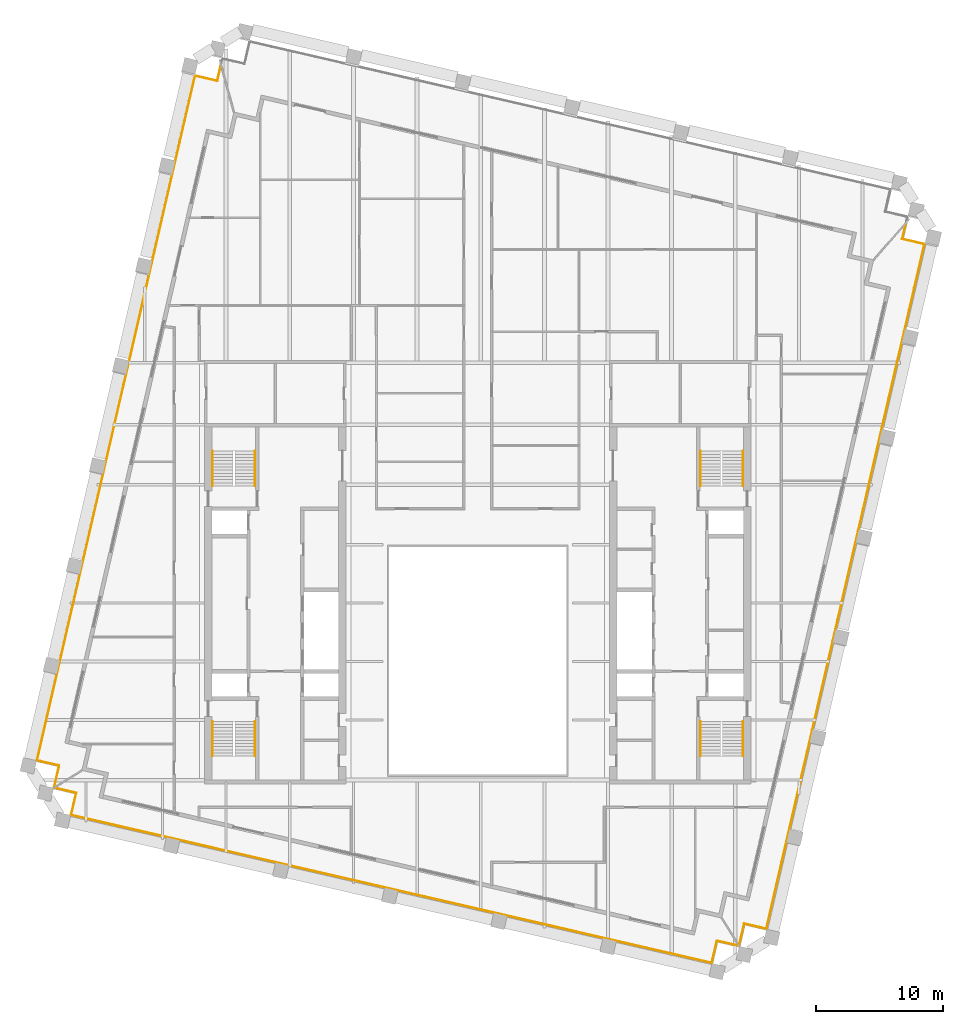
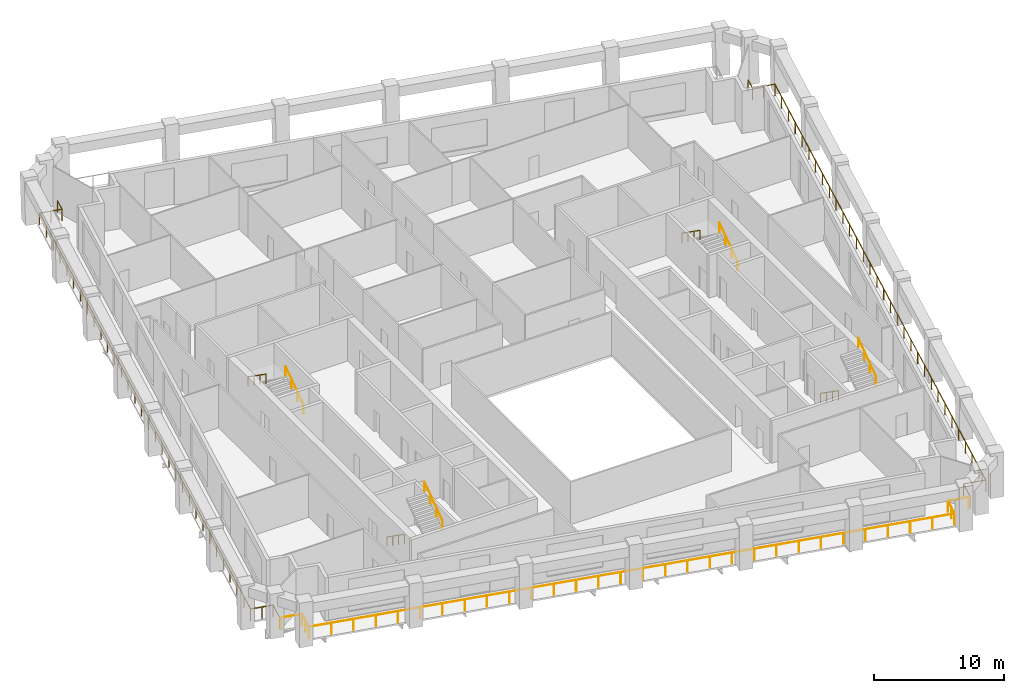
# One storey, part 10 of 11: 11 railings.
"""IFC4 building model written with IfcOpenShell, lengths in metres."""

from ifc_helpers import new_model, si_unit, direction, frame, origin, origin_2d, place, context, subcontext, project, spatial, circle, extrude, material, type_object, element, save


model = new_model("IFC4")

# Units and contexts
model_context = context("Model", 3, precision=1e-05, world=origin(), true_north=direction((0.0, 1.0)))
body_context = subcontext(model_context, "Body", "Model", "MODEL_VIEW")
ifc_project = project(units=[si_unit("LENGTHUNIT", "METRE"), si_unit("AREAUNIT", "SQUARE_METRE"), si_unit("VOLUMEUNIT", "CUBIC_METRE"), si_unit("PLANEANGLEUNIT", "RADIAN"), si_unit("MASSUNIT", "GRAM", prefix="KILO")], contexts=[model_context])

# Site, building, storey
site_placement = place(None, origin())
site = spatial("IfcSite", under=ifc_project, at=site_placement, CompositionType="ELEMENT")
building_placement = place(site_placement, origin())
building = spatial("IfcBuilding", under=site, at=building_placement, Name="Ogive Exchange Tower", CompositionType="ELEMENT")
storey_placement = place(building_placement, frame((0.0, 0.0, 259.800048828125)))
storey = spatial("IfcBuildingStorey", under=building, at=storey_placement, Name="L56", CompositionType="ELEMENT", Elevation=259.800048828125)

# Railings
ifc_material_1 = material(Name="Stainless steel 316", Category="steel")
railing_type_1 = type_object("IfcRailingType", Name="Guard 1100 stainless steel and glass", PredefinedType="GUARDRAIL", material=ifc_material_1)
railing_1_placement = place(storey_placement, frame((20.560546875, -15.527099609375, -0.050048828125)))
element("IfcRailing", 1, at=railing_1_placement, inside=storey, type_object=railing_type_1, Name="Loggia guard 1", PredefinedType="GUARDRAIL", context=body_context, shape_type="SweptSolid", body=[
    extrude(circle(Radius=0.02392578125, at=origin_2d()), frame((0.0, 0.0, 1.076171875), z_axis=(-0.974396013545, 0.224838628327, 0.0), x_axis=(-0.224838628327, -0.974396013545, 0.0)), (0.0, 0.0, 1.0), 1.7080078125),
    extrude(circle(Radius=0.02392578125, at=origin_2d()), frame((-1.664306640625, 0.384033203125, 1.076171875), z_axis=(-0.224879318197, -0.974386623598, 0.0), x_axis=(0.974386623598, -0.224879318197, 0.0)), (0.0, 0.0, 1.0), 1.800048828125),
    extrude(circle(Radius=0.02392578125, at=origin_2d()), frame((-2.069091796875, -1.369873046875, 1.076171875), z_axis=(-0.974370126852, 0.224950785504, 0.0), x_axis=(-0.224950785504, -0.974370126852, 0.0)), (0.0, 0.0, 1.0), 51.960205078125),
    extrude(circle(Radius=0.02392578125, at=origin_2d()), frame((-52.697509765625, 10.318603515625, 1.076171875), z_axis=(0.225008086135, 0.974356896201, 0.0), x_axis=(-0.974356896201, 0.225008086135, 0.0)), (0.0, 0.0, 1.0), 1.800048828125),
    extrude(circle(Radius=0.02392578125, at=origin_2d()), frame((-52.29248046875, 12.072509765625, 1.076171875), z_axis=(-0.974364690374, 0.224974332206, 0.0), x_axis=(-0.224974332206, -0.974364690374, 0.0)), (0.0, 0.0, 1.0), 1.7080078125),
    extrude(circle(Radius=0.02099609375, at=origin_2d()), origin(), (0.0, 0.0, 1.0), 1.052001953125),
    extrude(circle(Radius=0.02099609375, at=origin_2d()), frame((-1.664306640625, 0.384033203125, 0.0)), (0.0, 0.0, 1.0), 1.052001953125),
    extrude(circle(Radius=0.02099609375, at=origin_2d()), frame((-1.86669921875, -0.492919921875, 0.0)), (0.0, 0.0, 1.0), 1.052001953125),
    extrude(circle(Radius=0.02099609375, at=origin_2d()), frame((-2.069091796875, -1.369873046875, 0.0)), (0.0, 0.0, 1.0), 1.052001953125),
    extrude(circle(Radius=0.02099609375, at=origin_2d()), frame((-3.81494140625, -0.966796875, 0.0)), (0.0, 0.0, 1.0), 1.052001953125),
    extrude(circle(Radius=0.02099609375, at=origin_2d()), frame((-5.560791015625, -0.563720703125, 0.0)), (0.0, 0.0, 1.0), 1.052001953125),
    extrude(circle(Radius=0.02099609375, at=origin_2d()), frame((-7.306396484375, -0.16064453125, 0.0)), (0.0, 0.0, 1.0), 1.052001953125),
    extrude(circle(Radius=0.02099609375, at=origin_2d()), frame((-9.05224609375, 0.242431640625, 0.0)), (0.0, 0.0, 1.0), 1.052001953125),
    extrude(circle(Radius=0.02099609375, at=origin_2d()), frame((-10.798095703125, 0.645263671875, 0.0)), (0.0, 0.0, 1.0), 1.052001953125),
    extrude(circle(Radius=0.02099609375, at=origin_2d()), frame((-12.5439453125, 1.04833984375, 0.0)), (0.0, 0.0, 1.0), 1.052001953125),
    extrude(circle(Radius=0.02099609375, at=origin_2d()), frame((-14.289794921875, 1.451416015625, 0.0)), (0.0, 0.0, 1.0), 1.052001953125),
    extrude(circle(Radius=0.02099609375, at=origin_2d()), frame((-16.03564453125, 1.8544921875, 0.0)), (0.0, 0.0, 1.0), 1.052001953125),
    extrude(circle(Radius=0.02099609375, at=origin_2d()), frame((-17.78125, 2.257568359375, 0.0)), (0.0, 0.0, 1.0), 1.052001953125),
    extrude(circle(Radius=0.02099609375, at=origin_2d()), frame((-19.527099609375, 2.66064453125, 0.0)), (0.0, 0.0, 1.0), 1.052001953125),
    extrude(circle(Radius=0.02099609375, at=origin_2d()), frame((-21.27294921875, 3.063720703125, 0.0)), (0.0, 0.0, 1.0), 1.052001953125),
    extrude(circle(Radius=0.02099609375, at=origin_2d()), frame((-23.018798828125, 3.466796875, 0.0)), (0.0, 0.0, 1.0), 1.052001953125),
    extrude(circle(Radius=0.02099609375, at=origin_2d()), frame((-24.7646484375, 3.869873046875, 0.0)), (0.0, 0.0, 1.0), 1.052001953125),
    extrude(circle(Radius=0.02099609375, at=origin_2d()), frame((-26.510498046875, 4.27294921875, 0.0)), (0.0, 0.0, 1.0), 1.052001953125),
    extrude(circle(Radius=0.02099609375, at=origin_2d()), frame((-28.256103515625, 4.67578125, 0.0)), (0.0, 0.0, 1.0), 1.052001953125),
    extrude(circle(Radius=0.02099609375, at=origin_2d()), frame((-30.001953125, 5.078857421875, 0.0)), (0.0, 0.0, 1.0), 1.052001953125),
    extrude(circle(Radius=0.02099609375, at=origin_2d()), frame((-31.747802734375, 5.48193359375, 0.0)), (0.0, 0.0, 1.0), 1.052001953125),
    extrude(circle(Radius=0.02099609375, at=origin_2d()), frame((-33.49365234375, 5.885009765625, 0.0)), (0.0, 0.0, 1.0), 1.052001953125),
    extrude(circle(Radius=0.02099609375, at=origin_2d()), frame((-35.239501953125, 6.2880859375, 0.0)), (0.0, 0.0, 1.0), 1.052001953125),
    extrude(circle(Radius=0.02099609375, at=origin_2d()), frame((-36.9853515625, 6.691162109375, 0.0)), (0.0, 0.0, 1.0), 1.052001953125),
    extrude(circle(Radius=0.02099609375, at=origin_2d()), frame((-38.73095703125, 7.09423828125, 0.0)), (0.0, 0.0, 1.0), 1.052001953125),
    extrude(circle(Radius=0.02099609375, at=origin_2d()), frame((-40.476806640625, 7.497314453125, 0.0)), (0.0, 0.0, 1.0), 1.052001953125),
    extrude(circle(Radius=0.02099609375, at=origin_2d()), frame((-42.22265625, 7.900390625, 0.0)), (0.0, 0.0, 1.0), 1.052001953125),
    extrude(circle(Radius=0.02099609375, at=origin_2d()), frame((-43.968505859375, 8.303466796875, 0.0)), (0.0, 0.0, 1.0), 1.052001953125),
    extrude(circle(Radius=0.02099609375, at=origin_2d()), frame((-45.71435546875, 8.706298828125, 0.0)), (0.0, 0.0, 1.0), 1.052001953125),
    extrude(circle(Radius=0.02099609375, at=origin_2d()), frame((-47.460205078125, 9.109375, 0.0)), (0.0, 0.0, 1.0), 1.052001953125),
    extrude(circle(Radius=0.02099609375, at=origin_2d()), frame((-49.205810546875, 9.512451171875, 0.0)), (0.0, 0.0, 1.0), 1.052001953125),
    extrude(circle(Radius=0.02099609375, at=origin_2d()), frame((-50.95166015625, 9.91552734375, 0.0)), (0.0, 0.0, 1.0), 1.052001953125),
    extrude(circle(Radius=0.02099609375, at=origin_2d()), frame((-52.697509765625, 10.318603515625, 0.0)), (0.0, 0.0, 1.0), 1.052001953125),
    extrude(circle(Radius=0.02099609375, at=origin_2d()), frame((-52.4951171875, 11.195556640625, 0.0)), (0.0, 0.0, 1.0), 1.052001953125),
    extrude(circle(Radius=0.02099609375, at=origin_2d()), frame((-52.29248046875, 12.072509765625, 0.0)), (0.0, 0.0, 1.0), 1.052001953125),
    extrude(circle(Radius=0.02099609375, at=origin_2d()), frame((-53.956787109375, 12.456787109375, 0.0)), (0.0, 0.0, 1.0), 1.052001953125),
])
railing_2_placement = place(storey_placement, frame((-33.465087890625, -2.960205078125, -0.050048828125)))
element("IfcRailing", 2, at=railing_2_placement, inside=storey, type_object=railing_type_1, Name="Loggia guard 2", PredefinedType="GUARDRAIL", context=body_context, shape_type="SweptSolid", body=[
    extrude(circle(Radius=0.02392578125, at=origin_2d()), frame((0.0, 0.0, 1.076171875), z_axis=(0.224974332206, 0.974364690374, 0.0), x_axis=(-0.974364690374, 0.224974332206, 0.0)), (0.0, 0.0, 1.0), 1.7080078125),
    extrude(circle(Radius=0.02392578125, at=origin_2d()), frame((0.38427734375, 1.664306640625, 1.076171875), z_axis=(-0.974356896201, 0.225008086135, 0.0), x_axis=(-0.225008086135, -0.974356896201, 0.0)), (0.0, 0.0, 1.0), 1.800048828125),
    extrude(circle(Radius=0.02392578125, at=origin_2d()), frame((-1.36962890625, 2.0693359375, 1.076171875), z_axis=(0.224947803161, 0.974370815374, 0.0), x_axis=(-0.974370815374, 0.224947803161, 0.0)), (0.0, 0.0, 1.0), 55.53271484375),
    extrude(circle(Radius=0.02392578125, at=origin_2d()), frame((11.122314453125, 56.1787109375, 1.076171875), z_axis=(0.974386623598, -0.224879318197, 0.0), x_axis=(0.224879318197, 0.974386623598, 0.0)), (0.0, 0.0, 1.0), 1.800048828125),
    extrude(circle(Radius=0.02392578125, at=origin_2d()), frame((12.876220703125, 55.77392578125, 1.076171875), z_axis=(0.22511853592, 0.974331383455, 0.0), x_axis=(-0.974331383455, 0.22511853592, 0.0)), (0.0, 0.0, 1.0), 1.170166015625),
    extrude(circle(Radius=0.02099609375, at=origin_2d()), origin(), (0.0, 0.0, 1.0), 1.052001953125),
    extrude(circle(Radius=0.02099609375, at=origin_2d()), frame((0.38427734375, 1.664306640625, 0.0)), (0.0, 0.0, 1.0), 1.052001953125),
    extrude(circle(Radius=0.02099609375, at=origin_2d()), frame((-0.49267578125, 1.86669921875, 0.0)), (0.0, 0.0, 1.0), 1.052001953125),
    extrude(circle(Radius=0.02099609375, at=origin_2d()), frame((-1.36962890625, 2.0693359375, 0.0)), (0.0, 0.0, 1.0), 1.052001953125),
    extrude(circle(Radius=0.02099609375, at=origin_2d()), frame((-0.966552734375, 3.814697265625, 0.0)), (0.0, 0.0, 1.0), 1.052001953125),
    extrude(circle(Radius=0.02099609375, at=origin_2d()), frame((-0.563720703125, 5.560302734375, 0.0)), (0.0, 0.0, 1.0), 1.052001953125),
    extrude(circle(Radius=0.02099609375, at=origin_2d()), frame((-0.16064453125, 7.3056640625, 0.0)), (0.0, 0.0, 1.0), 1.052001953125),
    extrude(circle(Radius=0.02099609375, at=origin_2d()), frame((0.2421875, 9.05126953125, 0.0)), (0.0, 0.0, 1.0), 1.052001953125),
    extrude(circle(Radius=0.02099609375, at=origin_2d()), frame((0.645263671875, 10.796630859375, 0.0)), (0.0, 0.0, 1.0), 1.052001953125),
    extrude(circle(Radius=0.02099609375, at=origin_2d()), frame((1.048095703125, 12.542236328125, 0.0)), (0.0, 0.0, 1.0), 1.052001953125),
    extrude(circle(Radius=0.02099609375, at=origin_2d()), frame((1.451171875, 14.28759765625, 0.0)), (0.0, 0.0, 1.0), 1.052001953125),
    extrude(circle(Radius=0.02099609375, at=origin_2d()), frame((1.85400390625, 16.032958984375, 0.0)), (0.0, 0.0, 1.0), 1.052001953125),
    extrude(circle(Radius=0.02099609375, at=origin_2d()), frame((2.257080078125, 17.778564453125, 0.0)), (0.0, 0.0, 1.0), 1.052001953125),
    extrude(circle(Radius=0.02099609375, at=origin_2d()), frame((2.659912109375, 19.52392578125, 0.0)), (0.0, 0.0, 1.0), 1.052001953125),
    extrude(circle(Radius=0.02099609375, at=origin_2d()), frame((3.06298828125, 21.26953125, 0.0)), (0.0, 0.0, 1.0), 1.052001953125),
    extrude(circle(Radius=0.02099609375, at=origin_2d()), frame((3.466064453125, 23.014892578125, 0.0)), (0.0, 0.0, 1.0), 1.052001953125),
    extrude(circle(Radius=0.02099609375, at=origin_2d()), frame((3.868896484375, 24.76025390625, 0.0)), (0.0, 0.0, 1.0), 1.052001953125),
    extrude(circle(Radius=0.02099609375, at=origin_2d()), frame((4.27197265625, 26.505859375, 0.0)), (0.0, 0.0, 1.0), 1.052001953125),
    extrude(circle(Radius=0.02099609375, at=origin_2d()), frame((4.6748046875, 28.251220703125, 0.0)), (0.0, 0.0, 1.0), 1.052001953125),
    extrude(circle(Radius=0.02099609375, at=origin_2d()), frame((5.077880859375, 29.996826171875, 0.0)), (0.0, 0.0, 1.0), 1.052001953125),
    extrude(circle(Radius=0.02099609375, at=origin_2d()), frame((5.480712890625, 31.7421875, 0.0)), (0.0, 0.0, 1.0), 1.052001953125),
    extrude(circle(Radius=0.02099609375, at=origin_2d()), frame((5.8837890625, 33.48779296875, 0.0)), (0.0, 0.0, 1.0), 1.052001953125),
    extrude(circle(Radius=0.02099609375, at=origin_2d()), frame((6.28662109375, 35.233154296875, 0.0)), (0.0, 0.0, 1.0), 1.052001953125),
    extrude(circle(Radius=0.02099609375, at=origin_2d()), frame((6.689697265625, 36.978515625, 0.0)), (0.0, 0.0, 1.0), 1.052001953125),
    extrude(circle(Radius=0.02099609375, at=origin_2d()), frame((7.0927734375, 38.72412109375, 0.0)), (0.0, 0.0, 1.0), 1.052001953125),
    extrude(circle(Radius=0.02099609375, at=origin_2d()), frame((7.49560546875, 40.469482421875, 0.0)), (0.0, 0.0, 1.0), 1.052001953125),
    extrude(circle(Radius=0.02099609375, at=origin_2d()), frame((7.898681640625, 42.215087890625, 0.0)), (0.0, 0.0, 1.0), 1.052001953125),
    extrude(circle(Radius=0.02099609375, at=origin_2d()), frame((8.301513671875, 43.96044921875, 0.0)), (0.0, 0.0, 1.0), 1.052001953125),
    extrude(circle(Radius=0.02099609375, at=origin_2d()), frame((8.70458984375, 45.705810546875, 0.0)), (0.0, 0.0, 1.0), 1.052001953125),
    extrude(circle(Radius=0.02099609375, at=origin_2d()), frame((9.107421875, 47.451416015625, 0.0)), (0.0, 0.0, 1.0), 1.052001953125),
    extrude(circle(Radius=0.02099609375, at=origin_2d()), frame((9.510498046875, 49.19677734375, 0.0)), (0.0, 0.0, 1.0), 1.052001953125),
    extrude(circle(Radius=0.02099609375, at=origin_2d()), frame((9.913330078125, 50.9423828125, 0.0)), (0.0, 0.0, 1.0), 1.052001953125),
    extrude(circle(Radius=0.02099609375, at=origin_2d()), frame((10.31640625, 52.687744140625, 0.0)), (0.0, 0.0, 1.0), 1.052001953125),
    extrude(circle(Radius=0.02099609375, at=origin_2d()), frame((10.71923828125, 54.433349609375, 0.0)), (0.0, 0.0, 1.0), 1.052001953125),
    extrude(circle(Radius=0.02099609375, at=origin_2d()), frame((11.122314453125, 56.1787109375, 0.0)), (0.0, 0.0, 1.0), 1.052001953125),
    extrude(circle(Radius=0.02099609375, at=origin_2d()), frame((11.999267578125, 55.976318359375, 0.0)), (0.0, 0.0, 1.0), 1.052001953125),
    extrude(circle(Radius=0.02099609375, at=origin_2d()), frame((12.876220703125, 55.77392578125, 0.0)), (0.0, 0.0, 1.0), 1.052001953125),
    extrude(circle(Radius=0.02099609375, at=origin_2d()), frame((13.1396484375, 56.9140625, 0.0)), (0.0, 0.0, 1.0), 1.052001953125),
])
railing_3_placement = place(storey_placement, frame((33.810546875, 41.45556640625, -0.050048828125)))
element("IfcRailing", 3, at=railing_3_placement, inside=storey, type_object=railing_type_1, Name="Loggia guard 4", PredefinedType="GUARDRAIL", context=body_context, shape_type="SweptSolid", body=[
    extrude(circle(Radius=0.02392578125, at=origin_2d()), frame((0.0, 0.0, 1.076171875), z_axis=(-0.22511853592, -0.974331383455, 0.0), x_axis=(0.974331383455, -0.22511853592, 0.0)), (0.0, 0.0, 1.0), 1.170166015625),
    extrude(circle(Radius=0.02392578125, at=origin_2d()), frame((-0.263427734375, -1.14013671875, 1.076171875), z_axis=(0.974356896201, -0.225008086135, 0.0), x_axis=(0.225008086135, 0.974356896201, 0.0)), (0.0, 0.0, 1.0), 1.800048828125),
    extrude(circle(Radius=0.02392578125, at=origin_2d()), frame((1.490478515625, -1.545166015625, 1.076171875), z_axis=(-0.224951977039, -0.974369851764, 0.0), x_axis=(0.974369851764, -0.224951977039, 0.0)), (0.0, 0.0, 1.0), 55.53271484375),
    extrude(circle(Radius=0.02392578125, at=origin_2d()), frame((-11.001708984375, -55.654541015625, 1.076171875), z_axis=(-0.974379763188, 0.224909041816, 0.0), x_axis=(-0.224909041816, -0.974379763188, 0.0)), (0.0, 0.0, 1.0), 1.7998046875),
    extrude(circle(Radius=0.02392578125, at=origin_2d()), frame((-12.75537109375, -55.249755859375, 1.076171875), z_axis=(-0.224974332206, -0.974364690374, 0.0), x_axis=(0.974364690374, -0.224974332206, 0.0)), (0.0, 0.0, 1.0), 1.7080078125),
    extrude(circle(Radius=0.02099609375, at=origin_2d()), origin(), (0.0, 0.0, 1.0), 1.052001953125),
    extrude(circle(Radius=0.02099609375, at=origin_2d()), frame((-0.263427734375, -1.14013671875, 0.0)), (0.0, 0.0, 1.0), 1.052001953125),
    extrude(circle(Radius=0.02099609375, at=origin_2d()), frame((0.613525390625, -1.3427734375, 0.0)), (0.0, 0.0, 1.0), 1.052001953125),
    extrude(circle(Radius=0.02099609375, at=origin_2d()), frame((1.490478515625, -1.545166015625, 0.0)), (0.0, 0.0, 1.0), 1.052001953125),
    extrude(circle(Radius=0.02099609375, at=origin_2d()), frame((1.08740234375, -3.29052734375, 0.0)), (0.0, 0.0, 1.0), 1.052001953125),
    extrude(circle(Radius=0.02099609375, at=origin_2d()), frame((0.6845703125, -5.0361328125, 0.0)), (0.0, 0.0, 1.0), 1.052001953125),
    extrude(circle(Radius=0.02099609375, at=origin_2d()), frame((0.281494140625, -6.781494140625, 0.0)), (0.0, 0.0, 1.0), 1.052001953125),
    extrude(circle(Radius=0.02099609375, at=origin_2d()), frame((-0.121337890625, -8.527099609375, 0.0)), (0.0, 0.0, 1.0), 1.052001953125),
    extrude(circle(Radius=0.02099609375, at=origin_2d()), frame((-0.5244140625, -10.2724609375, 0.0)), (0.0, 0.0, 1.0), 1.052001953125),
    extrude(circle(Radius=0.02099609375, at=origin_2d()), frame((-0.92724609375, -12.01806640625, 0.0)), (0.0, 0.0, 1.0), 1.052001953125),
    extrude(circle(Radius=0.02099609375, at=origin_2d()), frame((-1.330322265625, -13.763427734375, 0.0)), (0.0, 0.0, 1.0), 1.052001953125),
    extrude(circle(Radius=0.02099609375, at=origin_2d()), frame((-1.7333984375, -15.5087890625, 0.0)), (0.0, 0.0, 1.0), 1.052001953125),
    extrude(circle(Radius=0.02099609375, at=origin_2d()), frame((-2.13623046875, -17.25439453125, 0.0)), (0.0, 0.0, 1.0), 1.052001953125),
    extrude(circle(Radius=0.02099609375, at=origin_2d()), frame((-2.539306640625, -18.999755859375, 0.0)), (0.0, 0.0, 1.0), 1.052001953125),
    extrude(circle(Radius=0.02099609375, at=origin_2d()), frame((-2.942138671875, -20.745361328125, 0.0)), (0.0, 0.0, 1.0), 1.052001953125),
    extrude(circle(Radius=0.02099609375, at=origin_2d()), frame((-3.34521484375, -22.49072265625, 0.0)), (0.0, 0.0, 1.0), 1.052001953125),
    extrude(circle(Radius=0.02099609375, at=origin_2d()), frame((-3.748291015625, -24.236083984375, 0.0)), (0.0, 0.0, 1.0), 1.052001953125),
    extrude(circle(Radius=0.02099609375, at=origin_2d()), frame((-4.151123046875, -25.981689453125, 0.0)), (0.0, 0.0, 1.0), 1.052001953125),
    extrude(circle(Radius=0.02099609375, at=origin_2d()), frame((-4.55419921875, -27.72705078125, 0.0)), (0.0, 0.0, 1.0), 1.052001953125),
    extrude(circle(Radius=0.02099609375, at=origin_2d()), frame((-4.95703125, -29.47265625, 0.0)), (0.0, 0.0, 1.0), 1.052001953125),
    extrude(circle(Radius=0.02099609375, at=origin_2d()), frame((-5.360107421875, -31.218017578125, 0.0)), (0.0, 0.0, 1.0), 1.052001953125),
    extrude(circle(Radius=0.02099609375, at=origin_2d()), frame((-5.762939453125, -32.963623046875, 0.0)), (0.0, 0.0, 1.0), 1.052001953125),
    extrude(circle(Radius=0.02099609375, at=origin_2d()), frame((-6.166015625, -34.708984375, 0.0)), (0.0, 0.0, 1.0), 1.052001953125),
    extrude(circle(Radius=0.02099609375, at=origin_2d()), frame((-6.569091796875, -36.454345703125, 0.0)), (0.0, 0.0, 1.0), 1.052001953125),
    extrude(circle(Radius=0.02099609375, at=origin_2d()), frame((-6.971923828125, -38.199951171875, 0.0)), (0.0, 0.0, 1.0), 1.052001953125),
    extrude(circle(Radius=0.02099609375, at=origin_2d()), frame((-7.375, -39.9453125, 0.0)), (0.0, 0.0, 1.0), 1.052001953125),
    extrude(circle(Radius=0.02099609375, at=origin_2d()), frame((-7.77783203125, -41.69091796875, 0.0)), (0.0, 0.0, 1.0), 1.052001953125),
    extrude(circle(Radius=0.02099609375, at=origin_2d()), frame((-8.180908203125, -43.436279296875, 0.0)), (0.0, 0.0, 1.0), 1.052001953125),
    extrude(circle(Radius=0.02099609375, at=origin_2d()), frame((-8.583984375, -45.181640625, 0.0)), (0.0, 0.0, 1.0), 1.052001953125),
    extrude(circle(Radius=0.02099609375, at=origin_2d()), frame((-8.98681640625, -46.92724609375, 0.0)), (0.0, 0.0, 1.0), 1.052001953125),
    extrude(circle(Radius=0.02099609375, at=origin_2d()), frame((-9.389892578125, -48.672607421875, 0.0)), (0.0, 0.0, 1.0), 1.052001953125),
    extrude(circle(Radius=0.02099609375, at=origin_2d()), frame((-9.792724609375, -50.418212890625, 0.0)), (0.0, 0.0, 1.0), 1.052001953125),
    extrude(circle(Radius=0.02099609375, at=origin_2d()), frame((-10.19580078125, -52.16357421875, 0.0)), (0.0, 0.0, 1.0), 1.052001953125),
    extrude(circle(Radius=0.02099609375, at=origin_2d()), frame((-10.5986328125, -53.9091796875, 0.0)), (0.0, 0.0, 1.0), 1.052001953125),
    extrude(circle(Radius=0.02099609375, at=origin_2d()), frame((-11.001708984375, -55.654541015625, 0.0)), (0.0, 0.0, 1.0), 1.052001953125),
    extrude(circle(Radius=0.02099609375, at=origin_2d()), frame((-12.75537109375, -55.249755859375, 0.0)), (0.0, 0.0, 1.0), 1.052001953125),
    extrude(circle(Radius=0.02099609375, at=origin_2d()), frame((-13.1396484375, -56.9140625, 0.0)), (0.0, 0.0, 1.0), 1.052001953125),
])
ifc_material_2 = material(Name="Stainless steel", Category="steel")
railing_type_2 = type_object("IfcRailingType", Name="Stair handrail 900", PredefinedType="HANDRAIL", material=ifc_material_2)
railing_4_placement = place(storey_placement, frame((-20.949951171875, 2.199951171875, 0.175048828125)))
element("IfcRailing", 4, at=railing_4_placement, inside=storey, type_object=railing_type_2, Name="L56 ST1 stair handrail 1", PredefinedType="HANDRAIL", context=body_context, shape_type="SweptSolid", body=[
    extrude(circle(Radius=0.02392578125, at=origin_2d()), frame((0.0, 0.0, 0.8759765625), z_axis=(0.0, -0.819259255306, 0.573423292687), x_axis=(1.0, 0.0, 0.0)), (0.0, 0.0, 1.0), 3.356689453125),
    extrude(circle(Radius=0.02099609375, at=origin_2d()), origin(), (0.0, 0.0, 1.0), 0.851806640625),
    extrude(circle(Radius=0.02099609375, at=origin_2d()), frame((0.0, -0.916748046875, 0.6416015625)), (0.0, 0.0, 1.0), 0.851806640625),
    extrude(circle(Radius=0.02099609375, at=origin_2d()), frame((0.0, -1.833251953125, 1.283203125)), (0.0, 0.0, 1.0), 0.851806640625),
    extrude(circle(Radius=0.02099609375, at=origin_2d()), frame((0.0, -2.75, 1.9248046875)), (0.0, 0.0, 1.0), 0.851806640625),
])
railing_5_placement = place(storey_placement, frame((-17.60009765625, -0.550048828125, 2.27490234375)))
element("IfcRailing", 5, at=railing_5_placement, inside=storey, type_object=railing_type_2, Name="L56 ST1 stair handrail 2", PredefinedType="HANDRAIL", context=body_context, shape_type="SweptSolid", body=[
    extrude(circle(Radius=0.02392578125, at=origin_2d()), frame((0.0, 0.0, 0.8759765625), z_axis=(0.0, 0.819225086817, 0.573472106672), x_axis=(-1.0, 0.0, 0.0)), (0.0, 0.0, 1.0), 3.35693359375),
    extrude(circle(Radius=0.02099609375, at=origin_2d()), origin(), (0.0, 0.0, 1.0), 0.851806640625),
    extrude(circle(Radius=0.02099609375, at=origin_2d()), frame((0.0, 0.916748046875, 0.6416015625)), (0.0, 0.0, 1.0), 0.851806640625),
    extrude(circle(Radius=0.02099609375, at=origin_2d()), frame((0.0, 1.833251953125, 1.283447265625)), (0.0, 0.0, 1.0), 0.851806640625),
    extrude(circle(Radius=0.02099609375, at=origin_2d()), frame((0.0, 2.75, 1.925048828125)), (0.0, 0.0, 1.0), 0.851806640625),
])
railing_6_placement = place(storey_placement, frame((-17.60009765625, 20.800048828125, 0.175048828125)))
element("IfcRailing", 6, at=railing_6_placement, inside=storey, type_object=railing_type_2, Name="L56 ST2 stair handrail 1", PredefinedType="HANDRAIL", context=body_context, shape_type="SweptSolid", body=[
    extrude(circle(Radius=0.02392578125, at=origin_2d()), frame((0.0, 0.0, 0.8759765625), z_axis=(0.0, 0.819259255306, 0.573423292687), x_axis=(-1.0, 0.0, 0.0)), (0.0, 0.0, 1.0), 3.356689453125),
    extrude(circle(Radius=0.02099609375, at=origin_2d()), origin(), (0.0, 0.0, 1.0), 0.851806640625),
    extrude(circle(Radius=0.02099609375, at=origin_2d()), frame((0.0, 0.916748046875, 0.6416015625)), (0.0, 0.0, 1.0), 0.851806640625),
    extrude(circle(Radius=0.02099609375, at=origin_2d()), frame((0.0, 1.833251953125, 1.283203125)), (0.0, 0.0, 1.0), 0.851806640625),
    extrude(circle(Radius=0.02099609375, at=origin_2d()), frame((0.0, 2.75, 1.9248046875)), (0.0, 0.0, 1.0), 0.851806640625),
])
railing_7_placement = place(storey_placement, frame((-20.949951171875, 23.550048828125, 2.27490234375)))
element("IfcRailing", 7, at=railing_7_placement, inside=storey, type_object=railing_type_2, Name="L56 ST2 stair handrail 2", PredefinedType="HANDRAIL", context=body_context, shape_type="SweptSolid", body=[
    extrude(circle(Radius=0.02392578125, at=origin_2d()), frame((0.0, 0.0, 0.8759765625), z_axis=(0.0, -0.819225086817, 0.573472106672), x_axis=(1.0, 0.0, 0.0)), (0.0, 0.0, 1.0), 3.35693359375),
    extrude(circle(Radius=0.02099609375, at=origin_2d()), origin(), (0.0, 0.0, 1.0), 0.851806640625),
    extrude(circle(Radius=0.02099609375, at=origin_2d()), frame((0.0, -0.916748046875, 0.6416015625)), (0.0, 0.0, 1.0), 0.851806640625),
    extrude(circle(Radius=0.02099609375, at=origin_2d()), frame((0.0, -1.833251953125, 1.283447265625)), (0.0, 0.0, 1.0), 0.851806640625),
    extrude(circle(Radius=0.02099609375, at=origin_2d()), frame((0.0, -2.75, 1.925048828125)), (0.0, 0.0, 1.0), 0.851806640625),
])
railing_8_placement = place(storey_placement, frame((17.60009765625, 2.199951171875, 0.175048828125)))
element("IfcRailing", 8, at=railing_8_placement, inside=storey, type_object=railing_type_2, Name="L56 ST3 stair handrail 1", PredefinedType="HANDRAIL", context=body_context, shape_type="SweptSolid", body=[
    extrude(circle(Radius=0.02392578125, at=origin_2d()), frame((0.0, 0.0, 0.8759765625), z_axis=(0.0, -0.819259255306, 0.573423292687), x_axis=(1.0, 0.0, 0.0)), (0.0, 0.0, 1.0), 3.356689453125),
    extrude(circle(Radius=0.02099609375, at=origin_2d()), origin(), (0.0, 0.0, 1.0), 0.851806640625),
    extrude(circle(Radius=0.02099609375, at=origin_2d()), frame((0.0, -0.916748046875, 0.6416015625)), (0.0, 0.0, 1.0), 0.851806640625),
    extrude(circle(Radius=0.02099609375, at=origin_2d()), frame((0.0, -1.833251953125, 1.283203125)), (0.0, 0.0, 1.0), 0.851806640625),
    extrude(circle(Radius=0.02099609375, at=origin_2d()), frame((0.0, -2.75, 1.9248046875)), (0.0, 0.0, 1.0), 0.851806640625),
])
railing_9_placement = place(storey_placement, frame((20.949951171875, -0.550048828125, 2.27490234375)))
element("IfcRailing", 9, at=railing_9_placement, inside=storey, type_object=railing_type_2, Name="L56 ST3 stair handrail 2", PredefinedType="HANDRAIL", context=body_context, shape_type="SweptSolid", body=[
    extrude(circle(Radius=0.02392578125, at=origin_2d()), frame((0.0, 0.0, 0.8759765625), z_axis=(0.0, 0.819225086817, 0.573472106672), x_axis=(-1.0, 0.0, 0.0)), (0.0, 0.0, 1.0), 3.35693359375),
    extrude(circle(Radius=0.02099609375, at=origin_2d()), origin(), (0.0, 0.0, 1.0), 0.851806640625),
    extrude(circle(Radius=0.02099609375, at=origin_2d()), frame((0.0, 0.916748046875, 0.6416015625)), (0.0, 0.0, 1.0), 0.851806640625),
    extrude(circle(Radius=0.02099609375, at=origin_2d()), frame((0.0, 1.833251953125, 1.283447265625)), (0.0, 0.0, 1.0), 0.851806640625),
    extrude(circle(Radius=0.02099609375, at=origin_2d()), frame((0.0, 2.75, 1.925048828125)), (0.0, 0.0, 1.0), 0.851806640625),
])
railing_10_placement = place(storey_placement, frame((20.949951171875, 20.800048828125, 0.175048828125)))
element("IfcRailing", 10, at=railing_10_placement, inside=storey, type_object=railing_type_2, Name="L56 ST4 stair handrail 1", PredefinedType="HANDRAIL", context=body_context, shape_type="SweptSolid", body=[
    extrude(circle(Radius=0.02392578125, at=origin_2d()), frame((0.0, 0.0, 0.8759765625), z_axis=(0.0, 0.819259255306, 0.573423292687), x_axis=(-1.0, 0.0, 0.0)), (0.0, 0.0, 1.0), 3.356689453125),
    extrude(circle(Radius=0.02099609375, at=origin_2d()), origin(), (0.0, 0.0, 1.0), 0.851806640625),
    extrude(circle(Radius=0.02099609375, at=origin_2d()), frame((0.0, 0.916748046875, 0.6416015625)), (0.0, 0.0, 1.0), 0.851806640625),
    extrude(circle(Radius=0.02099609375, at=origin_2d()), frame((0.0, 1.833251953125, 1.283203125)), (0.0, 0.0, 1.0), 0.851806640625),
    extrude(circle(Radius=0.02099609375, at=origin_2d()), frame((0.0, 2.75, 1.9248046875)), (0.0, 0.0, 1.0), 0.851806640625),
])
railing_11_placement = place(storey_placement, frame((17.60009765625, 23.550048828125, 2.27490234375)))
element("IfcRailing", 11, at=railing_11_placement, inside=storey, type_object=railing_type_2, Name="L56 ST4 stair handrail 2", PredefinedType="HANDRAIL", context=body_context, shape_type="SweptSolid", body=[
    extrude(circle(Radius=0.02392578125, at=origin_2d()), frame((0.0, 0.0, 0.8759765625), z_axis=(0.0, -0.819225086817, 0.573472106672), x_axis=(1.0, 0.0, 0.0)), (0.0, 0.0, 1.0), 3.35693359375),
    extrude(circle(Radius=0.02099609375, at=origin_2d()), origin(), (0.0, 0.0, 1.0), 0.851806640625),
    extrude(circle(Radius=0.02099609375, at=origin_2d()), frame((0.0, -0.916748046875, 0.6416015625)), (0.0, 0.0, 1.0), 0.851806640625),
    extrude(circle(Radius=0.02099609375, at=origin_2d()), frame((0.0, -1.833251953125, 1.283447265625)), (0.0, 0.0, 1.0), 0.851806640625),
    extrude(circle(Radius=0.02099609375, at=origin_2d()), frame((0.0, -2.75, 1.925048828125)), (0.0, 0.0, 1.0), 0.851806640625),
])

save(model, "model.ifc")
